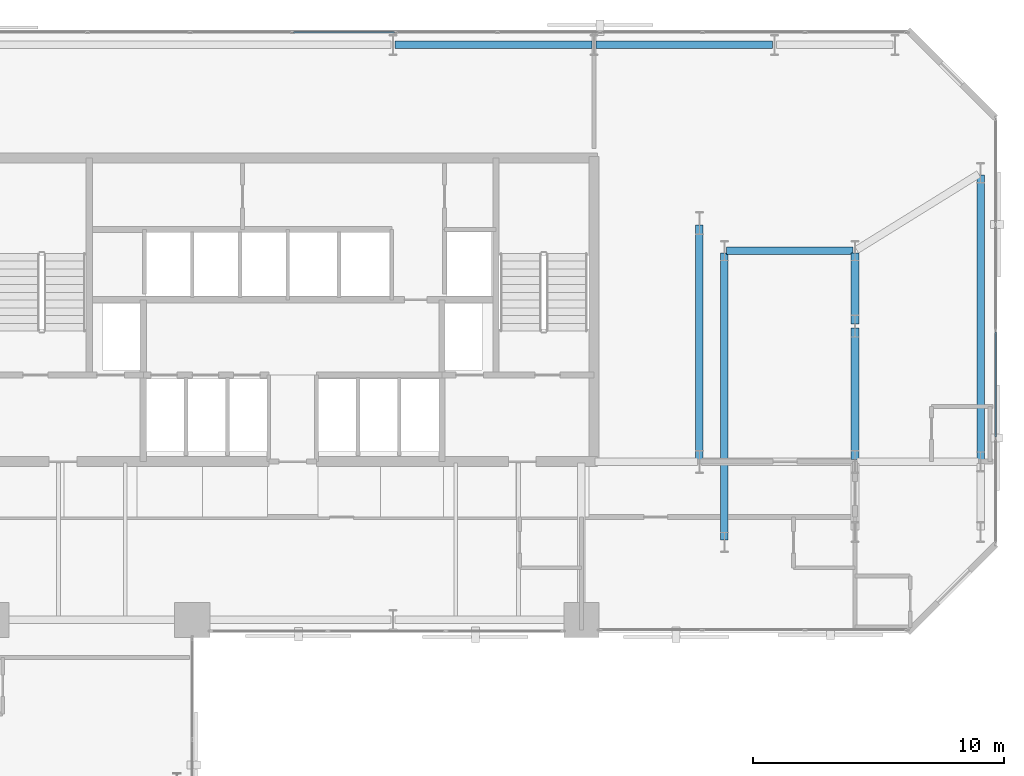
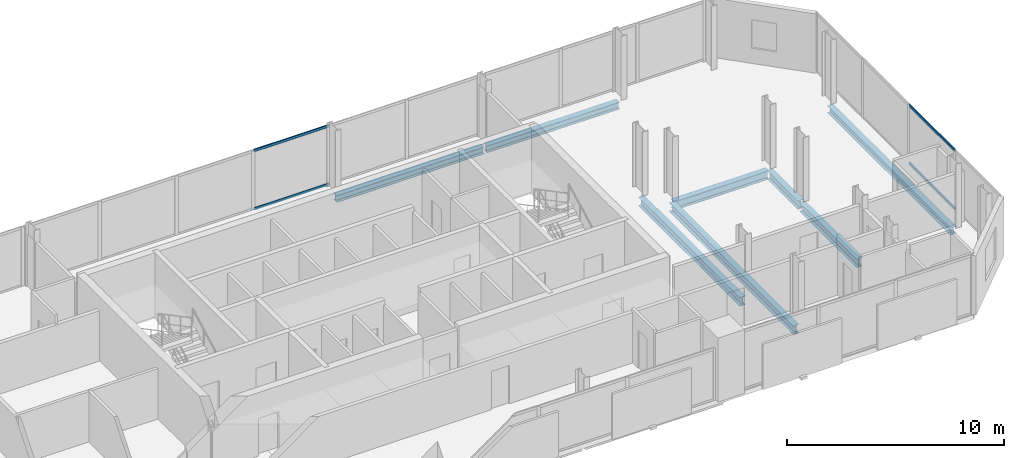
# One storey, part 23 of 32: 8 beams, 4 members, 2 elements without a shape of their own.
"""IFC4 building model written with IfcOpenShell, lengths in metres."""

from ifc_helpers import new_model, si_unit, direction, frame, origin, origin_2d, place, context, subcontext, project, spatial, hollow_rectangle, i_section, extrude, material, layer, layer_set, material_profile, profile_set, type_object, element, aggregate, save


model = new_model("IFC4")

# Units and contexts
model_context = context("Model", 3, precision=1e-05, world=origin(), true_north=direction((0.0, 1.0)))
body_context = subcontext(model_context, "Body", "Model", "MODEL_VIEW")
ifc_project = project(units=[si_unit("LENGTHUNIT", "METRE"), si_unit("AREAUNIT", "SQUARE_METRE"), si_unit("VOLUMEUNIT", "CUBIC_METRE"), si_unit("PLANEANGLEUNIT", "RADIAN"), si_unit("MASSUNIT", "GRAM", prefix="KILO")], contexts=[model_context])

# Site, building, storey
site_placement = place(None, origin())
site = spatial("IfcSite", under=ifc_project, at=site_placement, CompositionType="ELEMENT")
building_placement = place(site_placement, origin())
building = spatial("IfcBuilding", under=site, at=building_placement, Name="Catumbela Crestline Tower", CompositionType="ELEMENT")
storey_placement = place(building_placement, frame((0.0, 0.0, 69.0)))
storey = spatial("IfcBuildingStorey", under=building, at=storey_placement, Name="L17", CompositionType="ELEMENT", Elevation=69.0)

# Beams
ifc_material_1 = material(Name="Structural steel S355J2", Category="steel")
ifc_material_profile_1 = material_profile(ifc_material_1, i_section(OverallWidth=0.3, OverallDepth=0.49, WebThickness=0.012, FlangeThickness=0.023, FilletRadius=0.027, at=origin_2d()), Name="HEA 500")
ifc_profile_set_1 = profile_set([ifc_material_profile_1], Name="Structural steel S355J2")
beam_type_1 = type_object("IfcBeamType", Name="BG-HEA500", PredefinedType="BEAM", material=ifc_profile_set_1)
beam_1_placement = place(storey_placement, frame((45.28, 39.2, -0.505), z_axis=(1.0, 0.0, 0.0), x_axis=(0.0, 1.0, 0.0)))
element("IfcBeam", 1, at=beam_1_placement, inside=storey, type_object=beam_type_1, Name="L17 Beam BM-L17-N17", PredefinedType="BEAM", context=body_context, shape_type="SweptSolid", body=[
    extrude(i_section(OverallWidth=0.3, OverallDepth=0.49, WebThickness=0.012, FlangeThickness=0.023, FilletRadius=0.027, at=origin_2d()), origin(), (0.0, 0.0, 1.0), 5.04),
])
beam_2_placement = place(storey_placement, frame((44.2, 30.88, -0.505), z_axis=(0.0, 1.0, 0.0), x_axis=(-1.0, 0.0, 0.0)))
element("IfcBeam", 2, at=beam_2_placement, inside=storey, type_object=beam_type_1, Name="L17 Beam BM-L17-SN35", PredefinedType="BEAM", context=body_context, shape_type="SweptSolid", body=[
    extrude(i_section(OverallWidth=0.3, OverallDepth=0.49, WebThickness=0.012, FlangeThickness=0.023, FilletRadius=0.027, at=origin_2d()), origin(), (0.0, 0.0, 1.0), 9.34),
])
beam_3_placement = place(storey_placement, frame((45.2, 27.68, -0.505), z_axis=(0.0, 1.0, 0.0), x_axis=(-1.0, 0.0, 0.0)))
element("IfcBeam", 3, at=beam_3_placement, inside=storey, type_object=beam_type_1, Name="L17 Beam BM-L17-SN36", PredefinedType="BEAM", context=body_context, shape_type="SweptSolid", body=[
    extrude(i_section(OverallWidth=0.3, OverallDepth=0.49, WebThickness=0.012, FlangeThickness=0.023, FilletRadius=0.027, at=origin_2d()), origin(), (0.0, 0.0, 1.0), 11.44),
])
beam_4_placement = place(storey_placement, frame((50.4, 30.88, -0.505), z_axis=(0.0, 1.0, 0.0), x_axis=(-1.0, 0.0, 0.0)))
element("IfcBeam", 4, at=beam_4_placement, inside=storey, type_object=beam_type_1, Name="L17 Beam BM-L17-SN38", PredefinedType="BEAM", context=body_context, shape_type="SweptSolid", body=[
    extrude(i_section(OverallWidth=0.3, OverallDepth=0.49, WebThickness=0.012, FlangeThickness=0.023, FilletRadius=0.027, at=origin_2d()), origin(), (0.0, 0.0, 1.0), 5.24),
])
beam_5_placement = place(storey_placement, frame((50.4, 36.28, -0.505), z_axis=(0.0, 1.0, 0.0), x_axis=(-1.0, 0.0, 0.0)))
element("IfcBeam", 5, at=beam_5_placement, inside=storey, type_object=beam_type_1, Name="L17 Beam BM-L17-SN39", PredefinedType="BEAM", context=body_context, shape_type="SweptSolid", body=[
    extrude(i_section(OverallWidth=0.3, OverallDepth=0.49, WebThickness=0.012, FlangeThickness=0.023, FilletRadius=0.027, at=origin_2d()), origin(), (0.0, 0.0, 1.0), 2.84),
])
ifc_material_profile_2 = material_profile(ifc_material_1, i_section(OverallWidth=0.3, OverallDepth=0.4, WebThickness=0.0135, FlangeThickness=0.024, FilletRadius=0.027, at=origin_2d()), Name="HEB 400")
ifc_profile_set_2 = profile_set([ifc_material_profile_2], Name="Structural steel S355J2")
beam_type_2 = type_object("IfcBeamType", Name="BS-HEB400", PredefinedType="SPANDREL", material=ifc_profile_set_2)
beam_6_placement = place(storey_placement, frame((32.08, 47.4, -0.46), z_axis=(1.0, 0.0, 0.0), x_axis=(0.0, 1.0, 0.0)))
element("IfcBeam", 6, at=beam_6_placement, inside=storey, type_object=beam_type_2, Name="L17 Spandrel SP-L17-NF22", PredefinedType="SPANDREL", context=body_context, shape_type="SweptSolid", body=[
    extrude(i_section(OverallWidth=0.3, OverallDepth=0.4, WebThickness=0.0135, FlangeThickness=0.024, FilletRadius=0.027, at=origin_2d()), origin(), (0.0, 0.0, 1.0), 7.84),
])
beam_7_placement = place(storey_placement, frame((40.08, 47.4, -0.46), z_axis=(1.0, 0.0, 0.0), x_axis=(0.0, 1.0, 0.0)))
element("IfcBeam", 7, at=beam_7_placement, inside=storey, type_object=beam_type_2, Name="L17 Spandrel SP-L17-NF23", PredefinedType="SPANDREL", context=body_context, shape_type="SweptSolid", body=[
    extrude(i_section(OverallWidth=0.3, OverallDepth=0.4, WebThickness=0.0135, FlangeThickness=0.024, FilletRadius=0.027, at=origin_2d()), origin(), (0.0, 0.0, 1.0), 7.04),
])
beam_8_placement = place(storey_placement, frame((55.4, 30.88, -0.46), z_axis=(0.0, 1.0, 0.0), x_axis=(-1.0, 0.0, 0.0)))
element("IfcBeam", 8, at=beam_8_placement, inside=storey, type_object=beam_type_2, Name="L17 Spandrel SP-L17-SN41", PredefinedType="SPANDREL", context=body_context, shape_type="SweptSolid", body=[
    extrude(i_section(OverallWidth=0.3, OverallDepth=0.4, WebThickness=0.0135, FlangeThickness=0.024, FilletRadius=0.027, at=origin_2d()), origin(), (0.0, 0.0, 1.0), 11.34),
])

# Curtain wall, members
ifc_material_2 = material(Name="Aluminium alloy AW-6060-T66", Category="aluminium")
ifc_layer = layer(ifc_material_2, 0.18, Name="Aluminium alloy AW-6060-T66")
ifc_layer_set = layer_set([ifc_layer], Name="Aluminium alloy AW-6060-T66")
curtain_wall_type = type_object("IfcCurtainWallType", Name="CWU-Z1", PredefinedType="USERDEFINED", material=ifc_layer_set)
curtain_wall_1_placement = place(storey_placement, origin())
curtain_wall_1 = element("IfcCurtainWall", 9, at=curtain_wall_1_placement, inside=storey, type_object=curtain_wall_type, Name="L17 Unitised Curtain Wall CW-L17-E5S1", ObjectType="UNITISED", PredefinedType="USERDEFINED")
ifc_material_profile_3 = material_profile(ifc_material_2, hollow_rectangle(XDim=0.06, YDim=0.14, WallThickness=0.004, at=origin_2d()), Name="ALU 140x60x4")
ifc_profile_set_3 = profile_set([ifc_material_profile_3], Name="Aluminium alloy AW-6060-T66")
member_type = type_object("IfcMemberType", Name="TRN-140X60", PredefinedType="USERDEFINED", material=ifc_profile_set_3)
member_1_placement = place(storey_placement, frame((56.0, 31.7825, 0.03), z_axis=(0.0, 1.0, 0.0), x_axis=(-1.0, 0.0, 0.0)))
member_1 = element("IfcMember", 10, at=member_1_placement, type_object=member_type, Name="CWU-Z1 transom 2.1", ObjectType="TRANSOM", PredefinedType="USERDEFINED", context=body_context, shape_type="SweptSolid", body=[
    extrude(hollow_rectangle(XDim=0.06, YDim=0.14, WallThickness=0.004, at=origin_2d()), origin(), (0.0, 0.0, 1.0), 4.185),
])
member_2_placement = place(storey_placement, frame((56.0, 31.7825, 3.3), z_axis=(0.0, 1.0, 0.0), x_axis=(-1.0, 0.0, 0.0)))
member_2 = element("IfcMember", 11, at=member_2_placement, type_object=member_type, Name="CWU-Z1 transom 2.2", ObjectType="TRANSOM", PredefinedType="USERDEFINED", context=body_context, shape_type="SweptSolid", body=[
    extrude(hollow_rectangle(XDim=0.06, YDim=0.14, WallThickness=0.004, at=origin_2d()), origin(), (0.0, 0.0, 1.0), 4.185),
])
aggregate(curtain_wall_1, [member_1, member_2])

curtain_wall_2_placement = place(storey_placement, origin())
curtain_wall_2 = element("IfcCurtainWall", 12, at=curtain_wall_2_placement, inside=storey, type_object=curtain_wall_type, Name="L17 Unitised Curtain Wall CW-L17-E7S1", ObjectType="UNITISED", PredefinedType="USERDEFINED")
member_3_placement = place(storey_placement, frame((32.0508, 47.9, 0.03), z_axis=(-1.0, 0.0, 0.0), x_axis=(0.0, -1.0, 0.0)))
member_3 = element("IfcMember", 13, at=member_3_placement, type_object=member_type, Name="CWU-Z1 transom 6.1", ObjectType="TRANSOM", PredefinedType="USERDEFINED", context=body_context, shape_type="SweptSolid", body=[
    extrude(hollow_rectangle(XDim=0.06, YDim=0.14, WallThickness=0.004, at=origin_2d()), origin(), (0.0, 0.0, 1.0), 4.0183),
])
member_4_placement = place(storey_placement, frame((32.0508, 47.9, 3.3), z_axis=(-1.0, 0.0, 0.0), x_axis=(0.0, -1.0, 0.0)))
member_4 = element("IfcMember", 14, at=member_4_placement, type_object=member_type, Name="CWU-Z1 transom 6.2", ObjectType="TRANSOM", PredefinedType="USERDEFINED", context=body_context, shape_type="SweptSolid", body=[
    extrude(hollow_rectangle(XDim=0.06, YDim=0.14, WallThickness=0.004, at=origin_2d()), origin(), (0.0, 0.0, 1.0), 4.0183),
])
aggregate(curtain_wall_2, [member_3, member_4])

save(model, "model.ifc")
